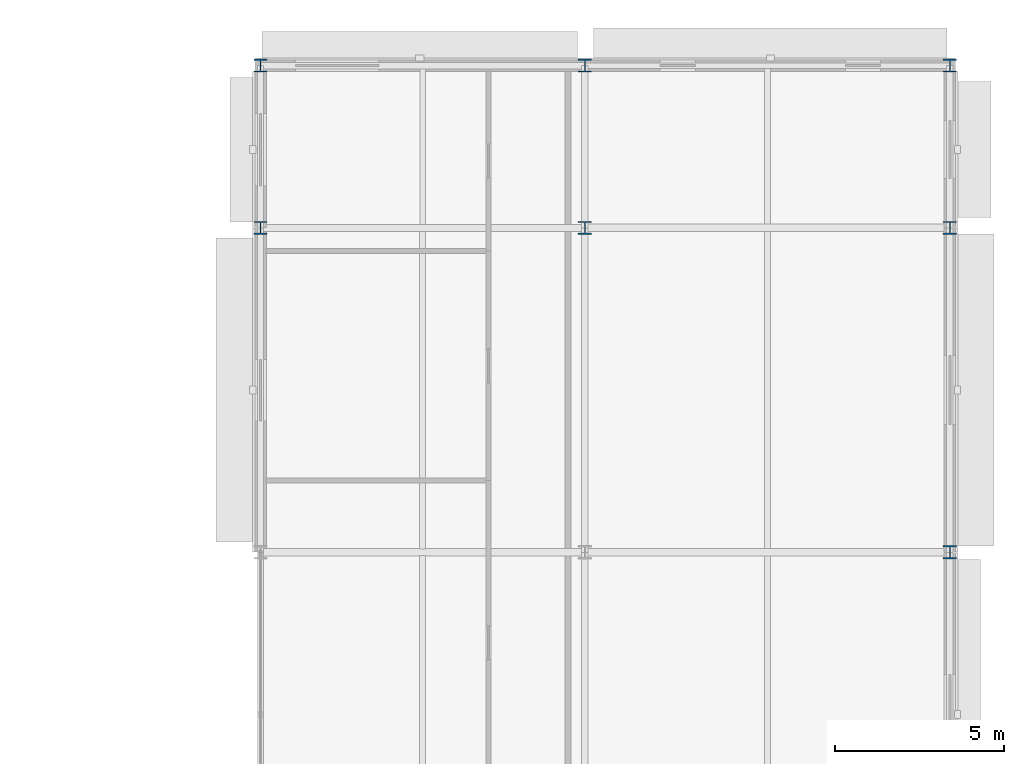
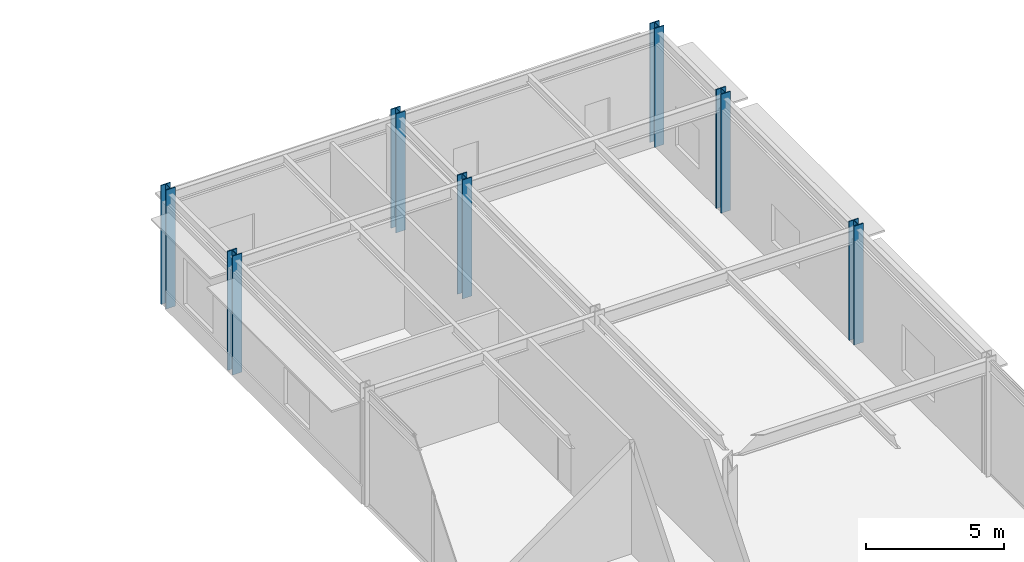
# One storey, part 19 of 168: 7 columns.
"""IFC4 building model written with IfcOpenShell, lengths in metres."""

from ifc_helpers import new_model, si_unit, direction, frame, origin, origin_2d, place, context, subcontext, project, spatial, i_section, extrude, material, material_profile, profile_set, type_object, element, save


model = new_model("IFC4")

# Units and contexts
model_context = context("Model", 3, precision=1e-05, world=origin(), true_north=direction((0.0, 1.0)))
body_context = subcontext(model_context, "Body", "Model", "MODEL_VIEW")
ifc_project = project(units=[si_unit("LENGTHUNIT", "METRE"), si_unit("AREAUNIT", "SQUARE_METRE"), si_unit("VOLUMEUNIT", "CUBIC_METRE"), si_unit("PLANEANGLEUNIT", "RADIAN"), si_unit("MASSUNIT", "GRAM", prefix="KILO")], contexts=[model_context])

# Site, building, storey
site_placement = place(None, origin())
site = spatial("IfcSite", under=ifc_project, at=site_placement, CompositionType="ELEMENT")
building_placement = place(site_placement, origin())
building = spatial("IfcBuilding", under=site, at=building_placement, Name="Almandine Court Research Institute", CompositionType="ELEMENT")
storey_placement = place(building_placement, origin())
storey = spatial("IfcBuildingStorey", under=building, at=storey_placement, Name="L00", CompositionType="ELEMENT", Elevation=0.0)

# Columns
ifc_material = material(Name="Steel ASTM A992 Grade 50", Category="steel")
ifc_material_profile_1 = material_profile(ifc_material, i_section(OverallWidth=0.39794921875, OverallDepth=0.386962890625, WebThickness=0.02392578125, FlangeThickness=0.0390625, at=origin_2d()), Name="W360x262")
ifc_profile_set_1 = profile_set([ifc_material_profile_1], Name="Steel ASTM A992 Grade 50")
column_type_1 = type_object("IfcColumnType", Name="Col-C-W01", PredefinedType="COLUMN", material=ifc_profile_set_1)
for number, where, z_axis, x_axis, name in (
    (1, (153.60009765625, 112.800048828125, 0.0), (0.0, 0.0, 1.0), (1.0, 0.0, 0.0), "L00 V4 Column V4-X2Y11"),
    (2, (163.199951171875, 112.800048828125, 0.0), (0.0, 0.0, 1.0), (1.0, 0.0, 0.0), "L00 V4 Column V4-X3Y11"),
):
    element("IfcColumn", number, at=place(storey_placement, frame(where, z_axis=z_axis, x_axis=x_axis)), inside=storey, type_object=column_type_1, Name=name, PredefinedType="COLUMN", context=body_context, shape_type="SweptSolid", body=[
        extrude(i_section(OverallWidth=0.39794921875, OverallDepth=0.386962890625, WebThickness=0.02392578125, FlangeThickness=0.0390625, at=origin_2d()), origin(), (0.0, 0.0, 1.0), 5.25),
    ])
ifc_material_profile_2 = material_profile(ifc_material, i_section(OverallWidth=0.39794921875, OverallDepth=0.386962890625, WebThickness=0.02392578125, FlangeThickness=0.0390625, at=origin_2d()), Name="W360x262")
ifc_profile_set_2 = profile_set([ifc_material_profile_2], Name="Steel ASTM A992 Grade 50")
column_type_2 = type_object("IfcColumnType", Name="Col-C-W01-E", PredefinedType="COLUMN", material=ifc_profile_set_2)
for number, where, z_axis, x_axis, name in (
    (3, (153.60009765625, 117.60009765625, 0.0), (0.0, 0.0, 1.0), (1.0, 0.0, 0.0), "L00 V4 Column V4-X2Y12"),
    (4, (163.199951171875, 117.60009765625, 0.0), (0.0, 0.0, 1.0), (1.0, 0.0, 0.0), "L00 V4 Column V4-X3Y12"),
    (5, (174.0, 103.199951171875, 0.0), (0.0, 0.0, 1.0), (1.0, 0.0, 0.0), "L00 V4 Column V4-X4Y10"),
    (6, (174.0, 112.800048828125, 0.0), (0.0, 0.0, 1.0), (1.0, 0.0, 0.0), "L00 V4 Column V4-X4Y11"),
    (7, (174.0, 117.60009765625, 0.0), (0.0, 0.0, 1.0), (1.0, 0.0, 0.0), "L00 V4 Column V4-X4Y12"),
):
    element("IfcColumn", number, at=place(storey_placement, frame(where, z_axis=z_axis, x_axis=x_axis)), inside=storey, type_object=column_type_2, Name=name, PredefinedType="COLUMN", context=body_context, shape_type="SweptSolid", body=[
        extrude(i_section(OverallWidth=0.39794921875, OverallDepth=0.386962890625, WebThickness=0.02392578125, FlangeThickness=0.0390625, at=origin_2d()), origin(), (0.0, 0.0, 1.0), 5.25),
    ])

save(model, "model.ifc")
